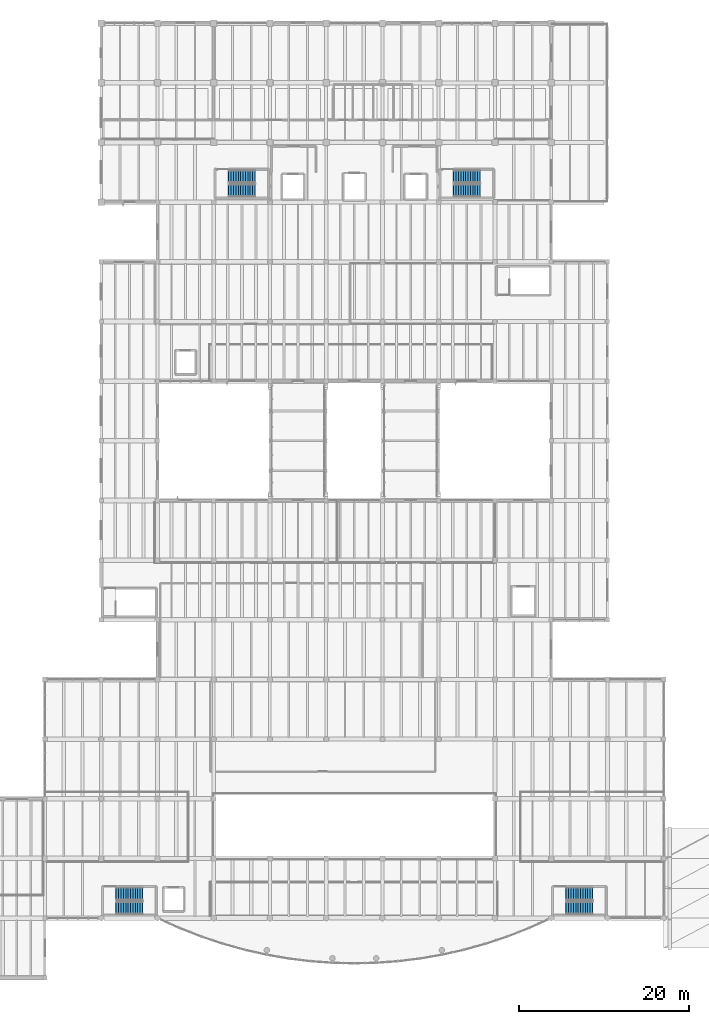
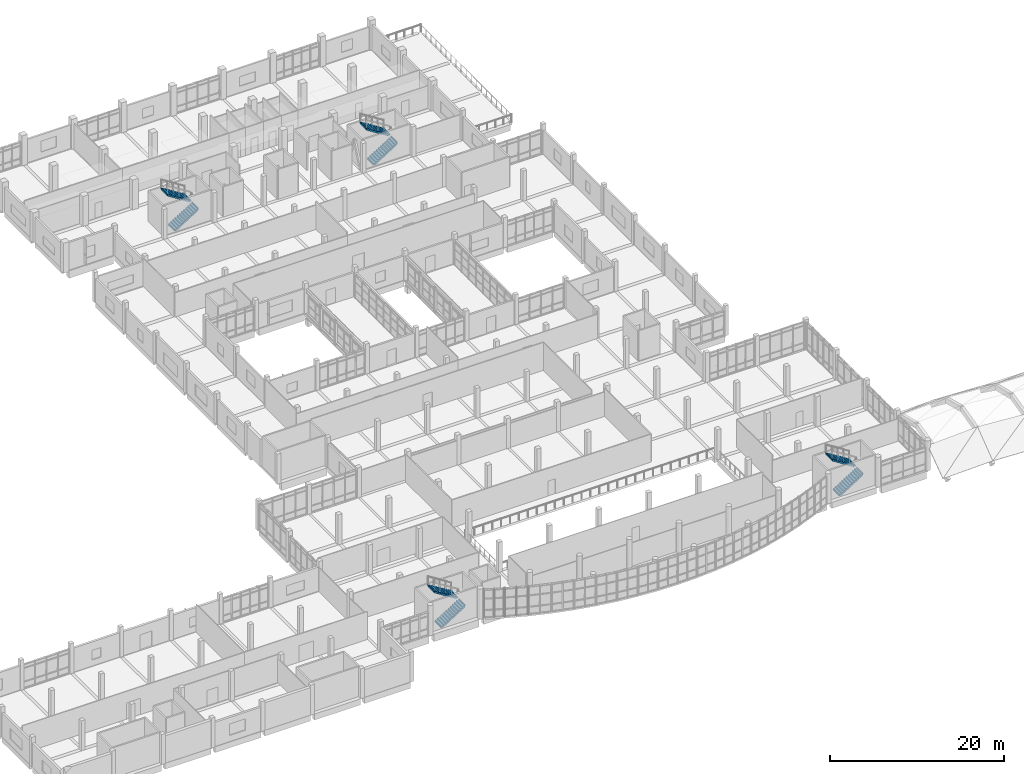
# One storey, part 54 of 65: 8 stair flights, 4 elements without a shape of their own.
"""IFC4 building model written with IfcOpenShell, lengths in metres."""

from ifc_helpers import new_model, si_unit, direction, frame, origin, place, context, subcontext, project, spatial, polyline, outline, extrude, material, type_object, element, aggregate, save


model = new_model("IFC4")

# Units and contexts
model_context = context("Model", 3, precision=1e-05, world=origin(), true_north=direction((0.0, 1.0)))
body_context = subcontext(model_context, "Body", "Model", "MODEL_VIEW")
ifc_project = project(units=[si_unit("LENGTHUNIT", "METRE"), si_unit("AREAUNIT", "SQUARE_METRE"), si_unit("VOLUMEUNIT", "CUBIC_METRE"), si_unit("PLANEANGLEUNIT", "RADIAN"), si_unit("MASSUNIT", "GRAM", prefix="KILO")], contexts=[model_context])

# Site, building, storey
site_placement = place(None, origin())
site = spatial("IfcSite", under=ifc_project, at=site_placement, CompositionType="ELEMENT")
building_placement = place(site_placement, origin())
building = spatial("IfcBuilding", under=site, at=building_placement, Name="Ciguamira Faculty of Natural Sciences", CompositionType="ELEMENT")
storey_placement = place(building_placement, frame((0.0, 0.0, 12.60009765625)))
storey = spatial("IfcBuildingStorey", under=building, at=storey_placement, Name="L03", CompositionType="ELEMENT", Elevation=12.60009765625)

# Stair, stair flights
ifc_material_1 = material(Name="Concrete C40/50", Category="concrete")
stair_type_1 = type_object("IfcStairType", Name="Stair_STR-01", PredefinedType="HALF_TURN_STAIR", material=ifc_material_1)
stair_1_placement = place(storey_placement, origin())
stair_1 = element("IfcStair", 1, at=stair_1_placement, inside=storey, type_object=stair_type_1, Name="L03 Tower West Exit Stair", PredefinedType="HALF_TURN_STAIR")
ifc_material_2 = material(Name="Precast concrete C40/50", Category="concrete")
stair_flight_type_1 = type_object("IfcStairFlightType", Name="StairFlight_SFL-01", PredefinedType="STRAIGHT", material=ifc_material_2)
stair_flight_1_placement = place(storey_placement, frame((72.260009765625, 95.35009765625, 0.0), z_axis=(0.0, 0.0, 1.0), x_axis=(1.0, 0.0, 0.0)))
stair_flight_1 = element("IfcStairFlight", 2, at=stair_flight_1_placement, type_object=stair_flight_type_1, Name="ST-T1 flight 1", NumberOfRisers=12, NumberOfTreads=11, PredefinedType="STRAIGHT", RiserHeight=0.175, TreadLength=0.28, context=body_context, shape_type="SweptSolid", body=[
    extrude(outline(polyline([(-0.080078125, -0.034912109375), (-0.080078125, 0.0), (0.0, 0.0), (0.0, 0.175048828125), (0.280029296875, 0.175048828125), (0.280029296875, 0.35009765625), (0.56005859375, 0.35009765625), (0.56005859375, 0.52490234375), (0.840087890625, 0.52490234375), (0.840087890625, 0.699951171875), (1.1201171875, 0.699951171875), (1.1201171875, 0.875), (1.39990234375, 0.875), (1.39990234375, 1.050048828125), (1.679931640625, 1.050048828125), (1.679931640625, 1.22509765625), (1.9599609375, 1.22509765625), (1.9599609375, 1.39990234375), (2.239990234375, 1.39990234375), (2.239990234375, 1.574951171875), (2.52001953125, 1.574951171875), (2.52001953125, 1.75), (2.800048828125, 1.75), (2.800048828125, 1.925048828125), (3.080078125, 1.925048828125), (3.080078125, 2.10009765625), (3.16015625, 2.10009765625), (3.16015625, 2.065185546875), (3.080078125, 1.748291015625), (0.28271484375, -0.034912109375), (-0.080078125, -0.034912109375)])), frame((0.0, 0.75, 0.0), z_axis=(0.0, -1.0, 0.0), x_axis=(1.0, 0.0, 0.0)), (0.0, 0.0, 1.0), 1.5),
])
stair_flight_2_placement = place(storey_placement, frame((75.340087890625, 97.010009765625, 2.099853515625), z_axis=(0.0, 0.0, 1.0), x_axis=(-1.0, 0.0, 0.0)))
stair_flight_2 = element("IfcStairFlight", 3, at=stair_flight_2_placement, type_object=stair_flight_type_1, Name="ST-T1 flight 2", NumberOfRisers=12, NumberOfTreads=11, PredefinedType="STRAIGHT", RiserHeight=0.175, TreadLength=0.28, context=body_context, shape_type="SweptSolid", body=[
    extrude(outline(polyline([(-0.080078125, -0.034912109375), (-0.080078125, 0.0), (0.0, 0.0), (0.0, 0.175048828125), (0.280029296875, 0.175048828125), (0.280029296875, 0.35009765625), (0.56005859375, 0.35009765625), (0.56005859375, 0.52490234375), (0.840087890625, 0.52490234375), (0.840087890625, 0.699951171875), (1.1201171875, 0.699951171875), (1.1201171875, 0.875), (1.39990234375, 0.875), (1.39990234375, 1.050048828125), (1.679931640625, 1.050048828125), (1.679931640625, 1.22509765625), (1.9599609375, 1.22509765625), (1.9599609375, 1.39990234375), (2.239990234375, 1.39990234375), (2.239990234375, 1.574951171875), (2.52001953125, 1.574951171875), (2.52001953125, 1.75), (2.800048828125, 1.75), (2.800048828125, 1.925048828125), (3.080078125, 1.925048828125), (3.080078125, 2.10009765625), (3.16015625, 2.10009765625), (3.16015625, 2.065185546875), (3.080078125, 1.748291015625), (0.28271484375, -0.034912109375), (-0.080078125, -0.034912109375)])), frame((0.0, 0.75, 0.0), z_axis=(0.0, -1.0, 0.0), x_axis=(1.0, 0.0, 0.0)), (0.0, 0.0, 1.0), 1.5),
])
aggregate(stair_1, [stair_flight_1, stair_flight_2])

stair_2_placement = place(storey_placement, origin())
stair_2 = element("IfcStair", 4, at=stair_2_placement, inside=storey, type_object=stair_type_1, Name="L03 Atrium West Exit Stair", PredefinedType="HALF_TURN_STAIR")
stair_flight_3_placement = place(storey_placement, frame((59.06005859375, 11.199951171875, 0.0), z_axis=(0.0, 0.0, 1.0), x_axis=(1.0, 0.0, 0.0)))
stair_flight_3 = element("IfcStairFlight", 5, at=stair_flight_3_placement, type_object=stair_flight_type_1, Name="ST-A1 flight 1", NumberOfRisers=12, NumberOfTreads=11, PredefinedType="STRAIGHT", RiserHeight=0.175, TreadLength=0.28, context=body_context, shape_type="SweptSolid", body=[
    extrude(outline(polyline([(-0.080078125, -0.034912109375), (-0.080078125, 0.0), (0.0, 0.0), (0.0, 0.175048828125), (0.280029296875, 0.175048828125), (0.280029296875, 0.35009765625), (0.56005859375, 0.35009765625), (0.56005859375, 0.52490234375), (0.840087890625, 0.52490234375), (0.840087890625, 0.699951171875), (1.1201171875, 0.699951171875), (1.1201171875, 0.875), (1.39990234375, 0.875), (1.39990234375, 1.050048828125), (1.679931640625, 1.050048828125), (1.679931640625, 1.22509765625), (1.9599609375, 1.22509765625), (1.9599609375, 1.39990234375), (2.239990234375, 1.39990234375), (2.239990234375, 1.574951171875), (2.52001953125, 1.574951171875), (2.52001953125, 1.75), (2.800048828125, 1.75), (2.800048828125, 1.925048828125), (3.080078125, 1.925048828125), (3.080078125, 2.10009765625), (3.16015625, 2.10009765625), (3.16015625, 2.065185546875), (3.080078125, 1.748291015625), (0.28271484375, -0.034912109375), (-0.080078125, -0.034912109375)])), frame((0.0, 0.75, 0.0), z_axis=(0.0, -1.0, 0.0), x_axis=(1.0, 0.0, 0.0)), (0.0, 0.0, 1.0), 1.5),
])
stair_flight_4_placement = place(storey_placement, frame((62.139892578125, 12.860107421875, 2.099853515625), z_axis=(0.0, 0.0, 1.0), x_axis=(-1.0, 0.0, 0.0)))
stair_flight_4 = element("IfcStairFlight", 6, at=stair_flight_4_placement, type_object=stair_flight_type_1, Name="ST-A1 flight 2", NumberOfRisers=12, NumberOfTreads=11, PredefinedType="STRAIGHT", RiserHeight=0.175, TreadLength=0.28, context=body_context, shape_type="SweptSolid", body=[
    extrude(outline(polyline([(-0.080078125, -0.034912109375), (-0.080078125, 0.0), (0.0, 0.0), (0.0, 0.175048828125), (0.280029296875, 0.175048828125), (0.280029296875, 0.35009765625), (0.56005859375, 0.35009765625), (0.56005859375, 0.52490234375), (0.840087890625, 0.52490234375), (0.840087890625, 0.699951171875), (1.1201171875, 0.699951171875), (1.1201171875, 0.875), (1.39990234375, 0.875), (1.39990234375, 1.050048828125), (1.679931640625, 1.050048828125), (1.679931640625, 1.22509765625), (1.9599609375, 1.22509765625), (1.9599609375, 1.39990234375), (2.239990234375, 1.39990234375), (2.239990234375, 1.574951171875), (2.52001953125, 1.574951171875), (2.52001953125, 1.75), (2.800048828125, 1.75), (2.800048828125, 1.925048828125), (3.080078125, 1.925048828125), (3.080078125, 2.10009765625), (3.16015625, 2.10009765625), (3.16015625, 2.065185546875), (3.080078125, 1.748291015625), (0.28271484375, -0.034912109375), (-0.080078125, -0.034912109375)])), frame((0.0, 0.75, 0.0), z_axis=(0.0, -1.0, 0.0), x_axis=(1.0, 0.0, 0.0)), (0.0, 0.0, 1.0), 1.5),
])
aggregate(stair_2, [stair_flight_3, stair_flight_4])

stair_type_2 = type_object("IfcStairType", Name="Stair_STR-02", PredefinedType="HALF_TURN_STAIR", material=ifc_material_1)
stair_3_placement = place(storey_placement, origin())
stair_3 = element("IfcStair", 7, at=stair_3_placement, inside=storey, type_object=stair_type_2, Name="L03 Tower East Exit Stair", PredefinedType="HALF_TURN_STAIR")
stair_flight_type_2 = type_object("IfcStairFlightType", Name="StairFlight_SFL-02", PredefinedType="STRAIGHT", material=ifc_material_2)
stair_flight_5_placement = place(storey_placement, frame((98.659912109375, 95.35009765625, 0.0), z_axis=(0.0, 0.0, 1.0), x_axis=(1.0, 0.0, 0.0)))
stair_flight_5 = element("IfcStairFlight", 8, at=stair_flight_5_placement, type_object=stair_flight_type_2, Name="ST-T2 flight 1", NumberOfRisers=12, NumberOfTreads=11, PredefinedType="STRAIGHT", RiserHeight=0.175, TreadLength=0.28, context=body_context, shape_type="SweptSolid", body=[
    extrude(outline(polyline([(-0.080078125, -0.034912109375), (-0.080078125, 0.0), (0.0, 0.0), (0.0, 0.175048828125), (0.280029296875, 0.175048828125), (0.280029296875, 0.35009765625), (0.56005859375, 0.35009765625), (0.56005859375, 0.52490234375), (0.840087890625, 0.52490234375), (0.840087890625, 0.699951171875), (1.1201171875, 0.699951171875), (1.1201171875, 0.875), (1.39990234375, 0.875), (1.39990234375, 1.050048828125), (1.679931640625, 1.050048828125), (1.679931640625, 1.22509765625), (1.9599609375, 1.22509765625), (1.9599609375, 1.39990234375), (2.239990234375, 1.39990234375), (2.239990234375, 1.574951171875), (2.52001953125, 1.574951171875), (2.52001953125, 1.75), (2.800048828125, 1.75), (2.800048828125, 1.925048828125), (3.080078125, 1.925048828125), (3.080078125, 2.10009765625), (3.16015625, 2.10009765625), (3.16015625, 2.065185546875), (3.080078125, 1.748291015625), (0.28271484375, -0.034912109375), (-0.080078125, -0.034912109375)])), frame((0.0, 0.75, 0.0), z_axis=(0.0, -1.0, 0.0), x_axis=(1.0, 0.0, 0.0)), (0.0, 0.0, 1.0), 1.5),
])
stair_flight_6_placement = place(storey_placement, frame((101.739990234375, 97.010009765625, 2.099853515625), z_axis=(0.0, 0.0, 1.0), x_axis=(-1.0, 0.0, 0.0)))
stair_flight_6 = element("IfcStairFlight", 9, at=stair_flight_6_placement, type_object=stair_flight_type_2, Name="ST-T2 flight 2", NumberOfRisers=12, NumberOfTreads=11, PredefinedType="STRAIGHT", RiserHeight=0.175, TreadLength=0.28, context=body_context, shape_type="SweptSolid", body=[
    extrude(outline(polyline([(-0.080078125, -0.034912109375), (-0.080078125, 0.0), (0.0, 0.0), (0.0, 0.175048828125), (0.280029296875, 0.175048828125), (0.280029296875, 0.35009765625), (0.56005859375, 0.35009765625), (0.56005859375, 0.52490234375), (0.840087890625, 0.52490234375), (0.840087890625, 0.699951171875), (1.1201171875, 0.699951171875), (1.1201171875, 0.875), (1.39990234375, 0.875), (1.39990234375, 1.050048828125), (1.679931640625, 1.050048828125), (1.679931640625, 1.22509765625), (1.9599609375, 1.22509765625), (1.9599609375, 1.39990234375), (2.239990234375, 1.39990234375), (2.239990234375, 1.574951171875), (2.52001953125, 1.574951171875), (2.52001953125, 1.75), (2.800048828125, 1.75), (2.800048828125, 1.925048828125), (3.080078125, 1.925048828125), (3.080078125, 2.10009765625), (3.16015625, 2.10009765625), (3.16015625, 2.065185546875), (3.080078125, 1.748291015625), (0.28271484375, -0.034912109375), (-0.080078125, -0.034912109375)])), frame((0.0, 0.75, 0.0), z_axis=(0.0, -1.0, 0.0), x_axis=(1.0, 0.0, 0.0)), (0.0, 0.0, 1.0), 1.5),
])
aggregate(stair_3, [stair_flight_5, stair_flight_6])

stair_4_placement = place(storey_placement, origin())
stair_4 = element("IfcStair", 10, at=stair_4_placement, inside=storey, type_object=stair_type_2, Name="L03 Atrium East Exit Stair", PredefinedType="HALF_TURN_STAIR")
stair_flight_7_placement = place(storey_placement, frame((111.860107421875, 11.199951171875, 0.0), z_axis=(0.0, 0.0, 1.0), x_axis=(1.0, 0.0, 0.0)))
stair_flight_7 = element("IfcStairFlight", 11, at=stair_flight_7_placement, type_object=stair_flight_type_2, Name="ST-A2 flight 1", NumberOfRisers=12, NumberOfTreads=11, PredefinedType="STRAIGHT", RiserHeight=0.175, TreadLength=0.28, context=body_context, shape_type="SweptSolid", body=[
    extrude(outline(polyline([(-0.080078125, -0.034912109375), (-0.080078125, 0.0), (0.0, 0.0), (0.0, 0.175048828125), (0.280029296875, 0.175048828125), (0.280029296875, 0.35009765625), (0.56005859375, 0.35009765625), (0.56005859375, 0.52490234375), (0.840087890625, 0.52490234375), (0.840087890625, 0.699951171875), (1.1201171875, 0.699951171875), (1.1201171875, 0.875), (1.39990234375, 0.875), (1.39990234375, 1.050048828125), (1.679931640625, 1.050048828125), (1.679931640625, 1.22509765625), (1.9599609375, 1.22509765625), (1.9599609375, 1.39990234375), (2.239990234375, 1.39990234375), (2.239990234375, 1.574951171875), (2.52001953125, 1.574951171875), (2.52001953125, 1.75), (2.800048828125, 1.75), (2.800048828125, 1.925048828125), (3.080078125, 1.925048828125), (3.080078125, 2.10009765625), (3.16015625, 2.10009765625), (3.16015625, 2.065185546875), (3.080078125, 1.748291015625), (0.28271484375, -0.034912109375), (-0.080078125, -0.034912109375)])), frame((0.0, 0.75, 0.0), z_axis=(0.0, -1.0, 0.0), x_axis=(1.0, 0.0, 0.0)), (0.0, 0.0, 1.0), 1.5),
])
stair_flight_8_placement = place(storey_placement, frame((114.93994140625, 12.860107421875, 2.099853515625), z_axis=(0.0, 0.0, 1.0), x_axis=(-1.0, 0.0, 0.0)))
stair_flight_8 = element("IfcStairFlight", 12, at=stair_flight_8_placement, type_object=stair_flight_type_2, Name="ST-A2 flight 2", NumberOfRisers=12, NumberOfTreads=11, PredefinedType="STRAIGHT", RiserHeight=0.175, TreadLength=0.28, context=body_context, shape_type="SweptSolid", body=[
    extrude(outline(polyline([(-0.080078125, -0.034912109375), (-0.080078125, 0.0), (0.0, 0.0), (0.0, 0.175048828125), (0.280029296875, 0.175048828125), (0.280029296875, 0.35009765625), (0.56005859375, 0.35009765625), (0.56005859375, 0.52490234375), (0.840087890625, 0.52490234375), (0.840087890625, 0.699951171875), (1.1201171875, 0.699951171875), (1.1201171875, 0.875), (1.39990234375, 0.875), (1.39990234375, 1.050048828125), (1.679931640625, 1.050048828125), (1.679931640625, 1.22509765625), (1.9599609375, 1.22509765625), (1.9599609375, 1.39990234375), (2.239990234375, 1.39990234375), (2.239990234375, 1.574951171875), (2.52001953125, 1.574951171875), (2.52001953125, 1.75), (2.800048828125, 1.75), (2.800048828125, 1.925048828125), (3.080078125, 1.925048828125), (3.080078125, 2.10009765625), (3.16015625, 2.10009765625), (3.16015625, 2.065185546875), (3.080078125, 1.748291015625), (0.28271484375, -0.034912109375), (-0.080078125, -0.034912109375)])), frame((0.0, 0.75, 0.0), z_axis=(0.0, -1.0, 0.0), x_axis=(1.0, 0.0, 0.0)), (0.0, 0.0, 1.0), 1.5),
])
aggregate(stair_4, [stair_flight_7, stair_flight_8])

save(model, "model.ifc")
